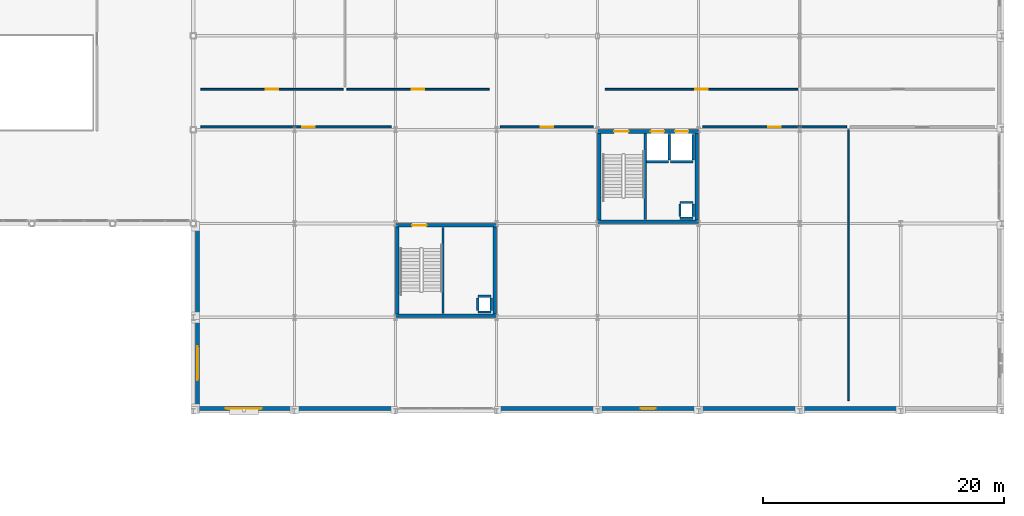
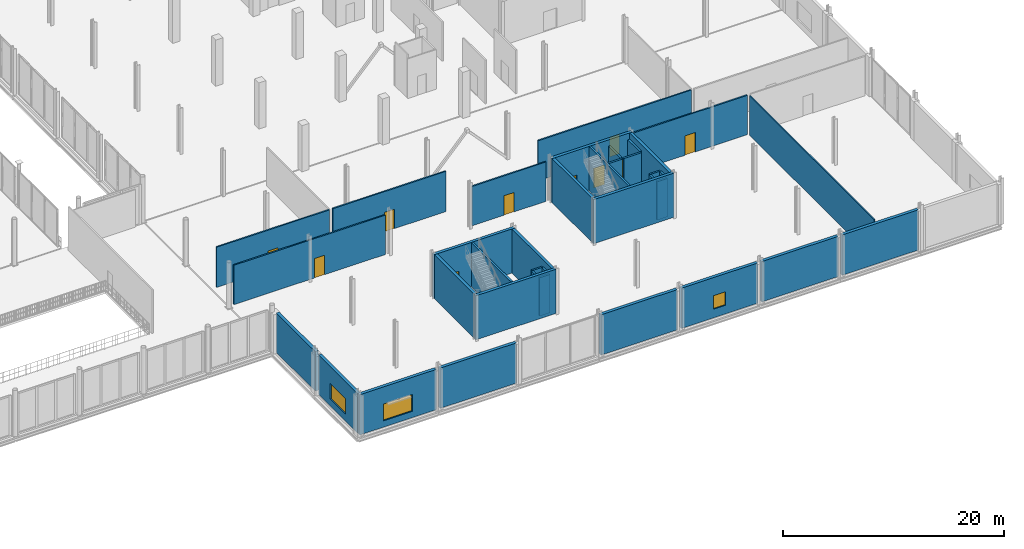
# One storey, part 80 of 105: 37 walls, 10 doors, 3 windows, 13 openings.
"""IFC4 building model written with IfcOpenShell, lengths in metres."""

from ifc_helpers import new_model, si_unit, direction, frame, frame_2d, origin, place, context, subcontext, project, spatial, rectangle, extrude, material, layer, layer_set, type_object, element, fill, save


model = new_model("IFC4")

# Units and contexts
model_context = context("Model", 3, precision=1e-05, world=origin(), true_north=direction((0.0, 1.0)))
body_context = subcontext(model_context, "Body", "Model", "MODEL_VIEW")
ifc_project = project(units=[si_unit("LENGTHUNIT", "METRE"), si_unit("AREAUNIT", "SQUARE_METRE"), si_unit("VOLUMEUNIT", "CUBIC_METRE"), si_unit("PLANEANGLEUNIT", "RADIAN"), si_unit("MASSUNIT", "GRAM", prefix="KILO")], contexts=[model_context])

# Site, building, storey
site_placement = place(None, origin())
site = spatial("IfcSite", under=ifc_project, at=site_placement, CompositionType="ELEMENT")
building_placement = place(site_placement, origin())
building = spatial("IfcBuilding", under=site, at=building_placement, Name="Nabrawat Pavilion Hospital", CompositionType="ELEMENT")
storey_placement = place(building_placement, frame((0.0, 0.0, 5.10009765625)))
storey = spatial("IfcBuildingStorey", under=building, at=storey_placement, Name="L01", CompositionType="ELEMENT", Elevation=5.10009765625)

# Wall, opening, door
ifc_material_1 = material(Name="Gypsum Fireboard on Steel Stud", Category="steel")
ifc_layer_1 = layer(ifc_material_1, 0.14990234375, Name="Gypsum Fireboard on Steel Stud")
ifc_layer_set_1 = layer_set([ifc_layer_1], Name="Gypsum Fireboard on Steel Stud")
wall_type_1 = type_object("IfcWallType", Name="Clinical Corridor Smoke-Barrier Wall 150", PredefinedType="PARTITIONING", material=ifc_layer_set_1)
wall_1_placement = place(storey_placement, frame((126.6201171875, 23.635009765625, 0.0), z_axis=(0.0, 0.0, 1.0), x_axis=(1.0, 0.0, 0.0)))
wall_1 = element("IfcWall", 1, at=wall_1_placement, inside=storey, type_object=wall_type_1, Name="L01 Outpatient Clinic Surgical Follow-Up Room L01-01 Front Partition", PredefinedType="PARTITIONING", context=body_context, shape_type="SweptSolid", body=[
    extrude(rectangle(XDim=15.829833984375, YDim=0.14990234375, at=frame_2d((7.9150390625, 0.0))), origin(), (0.0, 0.0, 1.0), 4.349853515625),
])
opening_1_placement = place(wall_1_placement, frame((8.43994140625, 0.0, 0.0)))
opening_1 = element("IfcOpeningElement", 2, at=opening_1_placement, cuts=wall_1, Name="Opening D-OPC-R", PredefinedType="OPENING", context=body_context, shape_type="SweptSolid", body=[
    extrude(rectangle(XDim=1.050048828125, YDim=2.14990234375, at=frame_2d((0.52490234375, 1.074951171875))), frame((0.0, 0.0849609375, 0.0), z_axis=(0.0, -1.0, 0.0), x_axis=(1.0, 0.0, 0.0)), (0.0, 0.0, 1.0), 0.169921875),
])
ifc_material_2 = material(Name="Stainless-Clad Acoustic Timber and Vision Glass", Category="wood")
door_type_1 = type_object("IfcDoorType", Name="Outpatient Clinic Consultation Door R 1050x2150", OperationType="NOTDEFINED", PredefinedType="DOOR", material=ifc_material_2)
door_1_placement = place(opening_1_placement, origin())
door_1 = element("IfcDoor", 3, at=door_1_placement, inside=storey, type_object=door_type_1, Name="Outpatient Clinic Surgical Follow-Up Room L01-01 Door", OperationType="SINGLE_SWING_LEFT", OverallHeight=2.14990234375, OverallWidth=1.050048828125, PredefinedType="DOOR", context=body_context, shape_type="SweptSolid", body=[
    extrude(rectangle(XDim=1.050048828125, YDim=2.14990234375, at=frame_2d((0.52490234375, 1.074951171875))), frame((0.0, 0.02490234375, 0.0), z_axis=(0.0, -1.0, 0.0), x_axis=(1.0, 0.0, 0.0)), (0.0, 0.0, 1.0), 0.050048828125),
])
fill(opening_1, door_1)

wall_2_placement = place(storey_placement, frame((151.52001953125, 23.635009765625, 0.0), z_axis=(0.0, 0.0, 1.0), x_axis=(1.0, 0.0, 0.0)))
wall_2 = element("IfcWall", 4, at=wall_2_placement, inside=storey, type_object=wall_type_1, Name="L01 Outpatient Clinic Paediatrics Room L01-02 Front Partition", PredefinedType="PARTITIONING", context=body_context, shape_type="SweptSolid", body=[
    extrude(rectangle(XDim=7.72998046875, YDim=0.14990234375, at=frame_2d((3.864990234375, 0.0))), origin(), (0.0, 0.0, 1.0), 4.349853515625),
])
opening_2_placement = place(wall_2_placement, frame((3.340087890625, 0.0, 0.0)))
opening_2 = element("IfcOpeningElement", 5, at=opening_2_placement, cuts=wall_2, Name="Opening D-OPC-L", PredefinedType="OPENING", context=body_context, shape_type="SweptSolid", body=[
    extrude(rectangle(XDim=1.050048828125, YDim=2.14990234375, at=frame_2d((0.52490234375, 1.074951171875))), frame((0.0, 0.0849609375, 0.0), z_axis=(0.0, -1.0, 0.0), x_axis=(1.0, 0.0, 0.0)), (0.0, 0.0, 1.0), 0.169921875),
])
door_type_2 = type_object("IfcDoorType", Name="Outpatient Clinic Consultation Door L 1050x2150", OperationType="NOTDEFINED", PredefinedType="DOOR", material=ifc_material_2)
door_2_placement = place(opening_2_placement, origin())
door_2 = element("IfcDoor", 6, at=door_2_placement, inside=storey, type_object=door_type_2, Name="Outpatient Clinic Paediatrics Room L01-02 Door", OperationType="SINGLE_SWING_RIGHT", OverallHeight=2.14990234375, OverallWidth=1.050048828125, PredefinedType="DOOR", context=body_context, shape_type="SweptSolid", body=[
    extrude(rectangle(XDim=1.050048828125, YDim=2.14990234375, at=frame_2d((0.52490234375, 1.074951171875))), frame((0.0, 0.02490234375, 0.0), z_axis=(0.0, -1.0, 0.0), x_axis=(1.0, 0.0, 0.0)), (0.0, 0.0, 1.0), 0.050048828125),
])
fill(opening_2, door_2)

wall_3_placement = place(storey_placement, frame((168.320068359375, 23.635009765625, 0.0), z_axis=(0.0, 0.0, 1.0), x_axis=(1.0, 0.0, 0.0)))
wall_3 = element("IfcWall", 7, at=wall_3_placement, inside=storey, type_object=wall_type_1, Name="L01 Outpatient Clinic Obstetrics Ultrasound Room L01-03 Front Partition", PredefinedType="PARTITIONING", context=body_context, shape_type="SweptSolid", body=[
    extrude(rectangle(XDim=11.969970703125, YDim=0.14990234375, at=frame_2d((5.98486328125, 0.0))), origin(), (0.0, 0.0, 1.0), 4.349853515625),
])
opening_3_placement = place(wall_3_placement, frame((5.4599609375, 0.0, 0.0)))
opening_3 = element("IfcOpeningElement", 8, at=opening_3_placement, cuts=wall_3, Name="Opening D-OPC-R", PredefinedType="OPENING", context=body_context, shape_type="SweptSolid", body=[
    extrude(rectangle(XDim=1.050048828125, YDim=2.14990234375, at=frame_2d((0.52490234375, 1.074951171875))), frame((0.0, 0.0849609375, 0.0), z_axis=(0.0, -1.0, 0.0), x_axis=(1.0, 0.0, 0.0)), (0.0, 0.0, 1.0), 0.169921875),
])
door_3_placement = place(opening_3_placement, origin())
door_3 = element("IfcDoor", 9, at=door_3_placement, inside=storey, type_object=door_type_1, Name="Outpatient Clinic Obstetrics Ultrasound Room L01-03 Door", OperationType="SINGLE_SWING_LEFT", OverallHeight=2.14990234375, OverallWidth=1.050048828125, PredefinedType="DOOR", context=body_context, shape_type="SweptSolid", body=[
    extrude(rectangle(XDim=1.050048828125, YDim=2.14990234375, at=frame_2d((0.52490234375, 1.074951171875))), frame((0.0, 0.02490234375, 0.0), z_axis=(0.0, -1.0, 0.0), x_axis=(1.0, 0.0, 0.0)), (0.0, 0.0, 1.0), 0.050048828125),
])
fill(opening_3, door_3)

wall_4_placement = place(storey_placement, frame((126.6201171875, 26.764892578125, 0.0), z_axis=(0.0, 0.0, 1.0), x_axis=(1.0, 0.0, 0.0)))
wall_4 = element("IfcWall", 10, at=wall_4_placement, inside=storey, type_object=wall_type_1, Name="L01 Outpatient Clinic Neurology EMG Room L01-05 Front Partition", PredefinedType="PARTITIONING", context=body_context, shape_type="SweptSolid", body=[
    extrude(rectangle(XDim=11.81982421875, YDim=0.14990234375, at=frame_2d((5.909912109375, 0.0))), origin(), (0.0, 0.0, 1.0), 4.449951171875),
])
opening_4_placement = place(wall_4_placement, frame((5.385009765625, 0.0, 0.0)))
opening_4 = element("IfcOpeningElement", 11, at=opening_4_placement, cuts=wall_4, Name="Opening D-OPC-R", PredefinedType="OPENING", context=body_context, shape_type="SweptSolid", body=[
    extrude(rectangle(XDim=1.050048828125, YDim=2.14990234375, at=frame_2d((0.52490234375, 1.074951171875))), frame((0.0, 0.0849609375, 0.0), z_axis=(0.0, -1.0, 0.0), x_axis=(1.0, 0.0, 0.0)), (0.0, 0.0, 1.0), 0.169921875),
])
door_4_placement = place(opening_4_placement, origin())
door_4 = element("IfcDoor", 12, at=door_4_placement, inside=storey, type_object=door_type_1, Name="Outpatient Clinic Neurology EMG Room L01-05 Door", OperationType="SINGLE_SWING_LEFT", OverallHeight=2.14990234375, OverallWidth=1.050048828125, PredefinedType="DOOR", context=body_context, shape_type="SweptSolid", body=[
    extrude(rectangle(XDim=1.050048828125, YDim=2.14990234375, at=frame_2d((0.52490234375, 1.074951171875))), frame((0.0, 0.02490234375, 0.0), z_axis=(0.0, -1.0, 0.0), x_axis=(1.0, 0.0, 0.0)), (0.0, 0.0, 1.0), 0.050048828125),
])
fill(opening_4, door_4)

wall_5_placement = place(storey_placement, frame((138.760009765625, 26.764892578125, 0.0), z_axis=(0.0, 0.0, 1.0), x_axis=(1.0, 0.0, 0.0)))
wall_5 = element("IfcWall", 13, at=wall_5_placement, inside=storey, type_object=wall_type_1, Name="L01 Outpatient Clinic Triage Vitals Room L01-06 Front Partition", PredefinedType="PARTITIONING", context=body_context, shape_type="SweptSolid", body=[
    extrude(rectangle(XDim=11.820068359375, YDim=0.14990234375, at=frame_2d((5.91015625, 0.0))), origin(), (0.0, 0.0, 1.0), 4.449951171875),
])
opening_5_placement = place(wall_5_placement, frame((5.385009765625, 0.0, 0.0)))
opening_5 = element("IfcOpeningElement", 14, at=opening_5_placement, cuts=wall_5, Name="Opening D-OPC-L", PredefinedType="OPENING", context=body_context, shape_type="SweptSolid", body=[
    extrude(rectangle(XDim=1.050048828125, YDim=2.14990234375, at=frame_2d((0.52490234375, 1.074951171875))), frame((0.0, 0.0849609375, 0.0), z_axis=(0.0, -1.0, 0.0), x_axis=(1.0, 0.0, 0.0)), (0.0, 0.0, 1.0), 0.169921875),
])
door_5_placement = place(opening_5_placement, origin())
door_5 = element("IfcDoor", 15, at=door_5_placement, inside=storey, type_object=door_type_2, Name="Outpatient Clinic Triage Vitals Room L01-06 Door", OperationType="SINGLE_SWING_RIGHT", OverallHeight=2.14990234375, OverallWidth=1.050048828125, PredefinedType="DOOR", context=body_context, shape_type="SweptSolid", body=[
    extrude(rectangle(XDim=1.050048828125, YDim=2.14990234375, at=frame_2d((0.52490234375, 1.074951171875))), frame((0.0, 0.02490234375, 0.0), z_axis=(0.0, -1.0, 0.0), x_axis=(1.0, 0.0, 0.0)), (0.0, 0.0, 1.0), 0.050048828125),
])
fill(opening_5, door_5)

wall_6_placement = place(storey_placement, frame((160.219970703125, 26.764892578125, 0.0), z_axis=(0.0, 0.0, 1.0), x_axis=(1.0, 0.0, 0.0)))
wall_6 = element("IfcWall", 16, at=wall_6_placement, inside=storey, type_object=wall_type_1, Name="L01 Outpatient Clinic Surgical Follow-Up Room L01-07 Front Partition", PredefinedType="PARTITIONING", context=body_context, shape_type="SweptSolid", body=[
    extrude(rectangle(XDim=16.02001953125, YDim=0.14990234375, at=frame_2d((8.010009765625, 0.0))), origin(), (0.0, 0.0, 1.0), 4.449951171875),
])
opening_6_placement = place(wall_6_placement, frame((7.485107421875, 0.0, 0.0)))
opening_6 = element("IfcOpeningElement", 17, at=opening_6_placement, cuts=wall_6, Name="Opening D-OPC-R", PredefinedType="OPENING", context=body_context, shape_type="SweptSolid", body=[
    extrude(rectangle(XDim=1.050048828125, YDim=2.14990234375, at=frame_2d((0.52490234375, 1.074951171875))), frame((0.0, 0.0849609375, 0.0), z_axis=(0.0, -1.0, 0.0), x_axis=(1.0, 0.0, 0.0)), (0.0, 0.0, 1.0), 0.169921875),
])
door_6_placement = place(opening_6_placement, origin())
door_6 = element("IfcDoor", 18, at=door_6_placement, inside=storey, type_object=door_type_1, Name="Outpatient Clinic Surgical Follow-Up Room L01-07 Door", OperationType="SINGLE_SWING_LEFT", OverallHeight=2.14990234375, OverallWidth=1.050048828125, PredefinedType="DOOR", context=body_context, shape_type="SweptSolid", body=[
    extrude(rectangle(XDim=1.050048828125, YDim=2.14990234375, at=frame_2d((0.52490234375, 1.074951171875))), frame((0.0, 0.02490234375, 0.0), z_axis=(0.0, -1.0, 0.0), x_axis=(1.0, 0.0, 0.0)), (0.0, 0.0, 1.0), 0.050048828125),
])
fill(opening_6, door_6)

# Wall, opening, window
ifc_material_3 = material(Name="Precast concrete C40/50", Category="concrete")
ifc_layer_2 = layer(ifc_material_3, 0.320068359375, Name="Precast concrete C40/50")
ifc_layer_set_2 = layer_set([ifc_layer_2], Name="Precast concrete C40/50")
wall_type_2 = type_object("IfcWallType", Name="Deep-Reveal Precast Facade Wall 320", PredefinedType="SOLIDWALL", material=ifc_layer_set_2)
wall_7_placement = place(storey_placement, frame((126.340087890625, 0.43994140625, 0.0), z_axis=(0.0, 0.0, 1.0), x_axis=(0.0, 1.0, 0.0)))
wall_7 = element("IfcWall", 19, at=wall_7_placement, inside=storey, type_object=wall_type_2, Name="L01 Deep-Reveal Precast Facade Wall 320 204", PredefinedType="SOLIDWALL", context=body_context, shape_type="SweptSolid", body=[
    extrude(rectangle(XDim=7.0849609375, YDim=0.320068359375, at=frame_2d((3.54248046875, 0.0))), origin(), (0.0, 0.0, 1.0), 4.349853515625),
])
opening_7_placement = place(wall_7_placement, frame((2.142578125, 0.0, 0.75)))
opening_7 = element("IfcOpeningElement", 20, at=opening_7_placement, cuts=wall_7, Name="Opening WN-15", PredefinedType="OPENING", context=body_context, shape_type="SweptSolid", body=[
    extrude(rectangle(XDim=2.800048828125, YDim=1.75, at=frame_2d((1.39990234375, 0.875))), frame((0.0, 0.169921875, 0.0), z_axis=(0.0, -1.0, 0.0), x_axis=(1.0, 0.0, 0.0)), (0.0, 0.0, 1.0), 0.340087890625),
])
ifc_material_4 = material(Name="Thermally Broken Aluminium and Solar Glass", Category="aluminium")
window_type_1 = type_object("IfcWindowType", Name="Neurology Rehab Lounge Window 2800x1750", PartitioningType="SINGLE_PANEL", PredefinedType="WINDOW", material=ifc_material_4)
window_1_placement = place(opening_7_placement, origin())
window_1 = element("IfcWindow", 21, at=window_1_placement, inside=storey, type_object=window_type_1, Name="L01 Neurology Rehab Lounge Window 2800x1750 079", OverallHeight=1.75, OverallWidth=2.800048828125, PartitioningType="SINGLE_PANEL", PredefinedType="WINDOW", context=body_context, shape_type="SweptSolid", body=[
    extrude(rectangle(XDim=2.800048828125, YDim=1.75, at=frame_2d((1.39990234375, 0.875))), frame((0.0, 0.030029296875, 0.0), z_axis=(0.0, -1.0, 0.0), x_axis=(1.0, 0.0, 0.0)), (0.0, 0.0, 1.0), 0.06005859375),
])
fill(opening_7, window_1)

# Wall
wall_8_placement = place(storey_placement, frame((126.340087890625, 8.074951171875, 0.0), z_axis=(0.0, 0.0, 1.0), x_axis=(0.0, 1.0, 0.0)))
element("IfcWall", 22, at=wall_8_placement, inside=storey, type_object=wall_type_2, Name="L01 Deep-Reveal Precast Facade Wall 320 205", PredefinedType="SOLIDWALL", context=body_context, shape_type="SweptSolid", body=[
    extrude(rectangle(XDim=7.0849609375, YDim=0.320068359375, at=frame_2d((3.54248046875, 0.0))), origin(), (0.0, 0.0, 1.0), 4.349853515625),
])

# Wall, opening, window
wall_9_placement = place(storey_placement, frame((126.199951171875, 0.219970703125, 0.0), z_axis=(0.0, 0.0, 1.0), x_axis=(1.0, 0.0, 0.0)))
wall_9 = element("IfcWall", 23, at=wall_9_placement, inside=storey, type_object=wall_type_2, Name="L01 Deep-Reveal Precast Facade Wall 320 206", PredefinedType="SOLIDWALL", context=body_context, shape_type="SweptSolid", body=[
    extrude(rectangle(XDim=8.0, YDim=0.320068359375, at=frame_2d((4.0, 0.0))), origin(), (0.0, 0.0, 1.0), 4.449951171875),
])
opening_8_placement = place(wall_9_placement, frame((2.5, 0.0, 0.699951171875)))
opening_8 = element("IfcOpeningElement", 24, at=opening_8_placement, cuts=wall_9, Name="Opening WN-16", PredefinedType="OPENING", context=body_context, shape_type="SweptSolid", body=[
    extrude(rectangle(XDim=3.0, YDim=1.85009765625, at=frame_2d((1.5, 0.925048828125))), frame((0.0, 0.169921875, 0.0), z_axis=(0.0, -1.0, 0.0), x_axis=(1.0, 0.0, 0.0)), (0.0, 0.0, 1.0), 0.340087890625),
])
window_type_2 = type_object("IfcWindowType", Name="VIP Suite Panoramic Window 3000x1850", PartitioningType="SINGLE_PANEL", PredefinedType="WINDOW", material=ifc_material_4)
window_2_placement = place(opening_8_placement, origin())
window_2 = element("IfcWindow", 25, at=window_2_placement, inside=storey, type_object=window_type_2, Name="L01 VIP Suite Panoramic Window 3000x1850 080", OverallHeight=1.85009765625, OverallWidth=3.0, PartitioningType="SINGLE_PANEL", PredefinedType="WINDOW", context=body_context, shape_type="SweptSolid", body=[
    extrude(rectangle(XDim=3.0, YDim=1.85009765625, at=frame_2d((1.5, 0.925048828125))), frame((0.0, 0.030029296875, 0.0), z_axis=(0.0, -1.0, 0.0), x_axis=(1.0, 0.0, 0.0)), (0.0, 0.0, 1.0), 0.06005859375),
])
fill(opening_8, window_2)

# Walls
for number, where, z_axis, x_axis, name in (
    (26, (134.60009765625, 0.219970703125, 0.0), (0.0, 0.0, 1.0), (1.0, 0.0, 0.0), "L01 Deep-Reveal Precast Facade Wall 320 207"),
    (27, (151.39990234375, 0.219970703125, 0.0), (0.0, 0.0, 1.0), (1.0, 0.0, 0.0), "L01 Deep-Reveal Precast Facade Wall 320 208"),
):
    element("IfcWall", number, at=place(storey_placement, frame(where, z_axis=z_axis, x_axis=x_axis)), inside=storey, type_object=wall_type_2, Name=name, PredefinedType="SOLIDWALL", context=body_context, shape_type="SweptSolid", body=[
        extrude(rectangle(XDim=8.0, YDim=0.320068359375, at=frame_2d((4.0, 0.0))), origin(), (0.0, 0.0, 1.0), 4.449951171875),
    ])

# Wall, opening, window
wall_10_placement = place(storey_placement, frame((159.800048828125, 0.219970703125, 0.0), z_axis=(0.0, 0.0, 1.0), x_axis=(1.0, 0.0, 0.0)))
wall_10 = element("IfcWall", 28, at=wall_10_placement, inside=storey, type_object=wall_type_2, Name="L01 Deep-Reveal Precast Facade Wall 320 209", PredefinedType="SOLIDWALL", context=body_context, shape_type="SweptSolid", body=[
    extrude(rectangle(XDim=8.0, YDim=0.320068359375, at=frame_2d((4.0, 0.0))), origin(), (0.0, 0.0, 1.0), 4.449951171875),
])
opening_9_placement = place(wall_10_placement, frame((3.375, 0.0, 0.949951171875)))
opening_9 = element("IfcOpeningElement", 29, at=opening_9_placement, cuts=wall_10, Name="Opening WN-17", PredefinedType="OPENING", context=body_context, shape_type="SweptSolid", body=[
    extrude(rectangle(XDim=1.25, YDim=1.5, at=frame_2d((0.625, 0.75))), frame((0.0, 0.169921875, 0.0), z_axis=(0.0, -1.0, 0.0), x_axis=(1.0, 0.0, 0.0)), (0.0, 0.0, 1.0), 0.340087890625),
])
window_type_3 = type_object("IfcWindowType", Name="Administration Office Window 1250x1500", PartitioningType="SINGLE_PANEL", PredefinedType="WINDOW", material=ifc_material_4)
window_3_placement = place(opening_9_placement, origin())
window_3 = element("IfcWindow", 30, at=window_3_placement, inside=storey, type_object=window_type_3, Name="L01 Administration Office Window 1250x1500 081", OverallHeight=1.5, OverallWidth=1.25, PartitioningType="SINGLE_PANEL", PredefinedType="WINDOW", context=body_context, shape_type="SweptSolid", body=[
    extrude(rectangle(XDim=1.25, YDim=1.5, at=frame_2d((0.625, 0.75))), frame((0.0, 0.030029296875, 0.0), z_axis=(0.0, -1.0, 0.0), x_axis=(1.0, 0.0, 0.0)), (0.0, 0.0, 1.0), 0.06005859375),
])
fill(opening_9, window_3)

# Walls
for number, where, z_axis, x_axis, name in (
    (31, (168.199951171875, 0.219970703125, 0.0), (0.0, 0.0, 1.0), (1.0, 0.0, 0.0), "L01 Deep-Reveal Precast Facade Wall 320 210"),
    (32, (176.60009765625, 0.219970703125, 0.0), (0.0, 0.0, 1.0), (1.0, 0.0, 0.0), "L01 Deep-Reveal Precast Facade Wall 320 211"),
):
    element("IfcWall", number, at=place(storey_placement, frame(where, z_axis=z_axis, x_axis=x_axis)), inside=storey, type_object=wall_type_2, Name=name, PredefinedType="SOLIDWALL", context=body_context, shape_type="SweptSolid", body=[
        extrude(rectangle(XDim=8.0, YDim=0.320068359375, at=frame_2d((4.0, 0.0))), origin(), (0.0, 0.0, 1.0), 4.449951171875),
    ])
ifc_material_5 = material(Name="Concrete C35/45", Category="concrete")
ifc_layer_3 = layer(ifc_material_5, 0.199951171875, Name="Concrete C35/45")
ifc_layer_set_3 = layer_set([ifc_layer_3], Name="Concrete C35/45")
wall_type_3 = type_object("IfcWallType", Name="Lift and Riser Fire Shaft Wall 200", PredefinedType="PARTITIONING", material=ifc_layer_set_3)
wall_11_placement = place(storey_placement, frame((163.550048828125, 15.919921875, 0.0), z_axis=(0.0, 0.0, 1.0), x_axis=(0.0, 1.0, 0.0)))
element("IfcWall", 33, at=wall_11_placement, inside=storey, type_object=wall_type_3, Name="L01 CORE-4 Stair-Lift Dividing Shear Wall", PredefinedType="SHEAR", context=body_context, shape_type="SweptSolid", body=[
    extrude(rectangle(XDim=7.16015625, YDim=0.199951171875, at=frame_2d((3.580078125, 0.0))), origin(), (0.0, 0.0, 1.0), 4.869873046875),
])
for number, where, z_axis, x_axis, name in (
    (34, (166.449951171875, 16.050048828125, 0.0), (0.0, 0.0, 1.0), (1.0, 0.0, 0.0), "L01 CORE-4 MEP Riser Shaft Wall S"),
    (35, (166.449951171875, 17.35009765625, 0.0), (0.0, 0.0, 1.0), (1.0, 0.0, 0.0), "L01 CORE-4 MEP Riser Shaft Wall N"),
):
    element("IfcWall", number, at=place(storey_placement, frame(where, z_axis=z_axis, x_axis=x_axis)), inside=storey, type_object=wall_type_3, Name=name, PredefinedType="PARTITIONING", context=body_context, shape_type="SweptSolid", body=[
        extrude(rectangle(XDim=1.10009765625, YDim=0.199951171875, at=frame_2d((0.550048828125, 0.0))), origin(), (0.0, 0.0, 1.0), 4.25),
    ])
for number, where, z_axis, x_axis, name in (
    (36, (166.449951171875, 16.169921875, 0.0), (0.0, 0.0, 1.0), (0.0, 1.0, 0.0), "L01 CORE-4 MEP Riser Shaft Wall W"),
    (37, (167.550048828125, 16.169921875, 0.0), (0.0, 0.0, 1.0), (0.0, 1.0, 0.0), "L01 CORE-4 MEP Riser Shaft Wall E"),
):
    element("IfcWall", number, at=place(storey_placement, frame(where, z_axis=z_axis, x_axis=x_axis)), inside=storey, type_object=wall_type_3, Name=name, PredefinedType="PARTITIONING", context=body_context, shape_type="SweptSolid", body=[
        extrude(rectangle(XDim=1.06005859375, YDim=0.199951171875, at=frame_2d((0.530029296875, 0.0))), origin(), (0.0, 0.0, 1.0), 4.25),
    ])
wall_12_placement = place(storey_placement, frame((165.5400390625, 20.8798828125, 0.0), z_axis=(0.0, 0.0, 1.0), x_axis=(0.0, 1.0, 0.0)))
element("IfcWall", 38, at=wall_12_placement, inside=storey, type_object=wall_type_3, Name="L01 Lift LP-03 Shaft East Wall", PredefinedType="PARTITIONING", context=body_context, shape_type="SweptSolid", body=[
    extrude(rectangle(XDim=2.14013671875, YDim=0.199951171875, at=frame_2d((1.070068359375, 0.0))), origin(), (0.0, 0.0, 1.0), 4.25),
])
wall_13_placement = place(storey_placement, frame((163.64990234375, 20.719970703125, 0.0), z_axis=(0.0, 0.0, 1.0), x_axis=(1.0, 0.0, 0.0)))
element("IfcWall", 39, at=wall_13_placement, inside=storey, type_object=wall_type_3, Name="L01 Lift LP-03 Shaft Back Wall", PredefinedType="PARTITIONING", context=body_context, shape_type="SweptSolid", body=[
    extrude(rectangle(XDim=1.860107421875, YDim=0.199951171875, at=frame_2d((0.93017578125, 0.0))), origin(), (0.0, 0.0, 1.0), 4.25),
])
wall_14_placement = place(storey_placement, frame((167.56005859375, 20.8798828125, 0.0), z_axis=(0.0, 0.0, 1.0), x_axis=(0.0, 1.0, 0.0)))
element("IfcWall", 40, at=wall_14_placement, inside=storey, type_object=wall_type_3, Name="L01 Lift LP-04 Shaft East Wall", PredefinedType="PARTITIONING", context=body_context, shape_type="SweptSolid", body=[
    extrude(rectangle(XDim=2.14013671875, YDim=0.199951171875, at=frame_2d((1.070068359375, 0.0))), origin(), (0.0, 0.0, 1.0), 4.25),
])
wall_15_placement = place(storey_placement, frame((165.669921875, 20.719970703125, 0.0), z_axis=(0.0, 0.0, 1.0), x_axis=(1.0, 0.0, 0.0)))
element("IfcWall", 41, at=wall_15_placement, inside=storey, type_object=wall_type_3, Name="L01 Lift LP-04 Shaft Back Wall", PredefinedType="PARTITIONING", context=body_context, shape_type="SweptSolid", body=[
    extrude(rectangle(XDim=1.860107421875, YDim=0.199951171875, at=frame_2d((0.93017578125, 0.0))), origin(), (0.0, 0.0, 1.0), 4.25),
])
wall_16_placement = place(storey_placement, frame((146.75, 8.1201171875, 0.0), z_axis=(0.0, 0.0, 1.0), x_axis=(0.0, 1.0, 0.0)))
element("IfcWall", 42, at=wall_16_placement, inside=storey, type_object=wall_type_3, Name="L01 CORE-8 Stair-Lift Dividing Shear Wall", PredefinedType="SHEAR", context=body_context, shape_type="SweptSolid", body=[
    extrude(rectangle(XDim=7.159912109375, YDim=0.199951171875, at=frame_2d((3.580078125, 0.0))), origin(), (0.0, 0.0, 1.0), 4.869873046875),
])
for number, where, z_axis, x_axis, name in (
    (43, (149.64990234375, 8.25, 0.0), (0.0, 0.0, 1.0), (1.0, 0.0, 0.0), "L01 CORE-8 MEP Riser Shaft Wall S"),
    (44, (149.64990234375, 9.550048828125, 0.0), (0.0, 0.0, 1.0), (1.0, 0.0, 0.0), "L01 CORE-8 MEP Riser Shaft Wall N"),
):
    element("IfcWall", number, at=place(storey_placement, frame(where, z_axis=z_axis, x_axis=x_axis)), inside=storey, type_object=wall_type_3, Name=name, PredefinedType="PARTITIONING", context=body_context, shape_type="SweptSolid", body=[
        extrude(rectangle(XDim=1.10009765625, YDim=0.199951171875, at=frame_2d((0.550048828125, 0.0))), origin(), (0.0, 0.0, 1.0), 4.25),
    ])
for number, where, z_axis, x_axis, name in (
    (45, (149.64990234375, 8.3701171875, 0.0), (0.0, 0.0, 1.0), (0.0, 1.0, 0.0), "L01 CORE-8 MEP Riser Shaft Wall W"),
    (46, (150.75, 8.3701171875, 0.0), (0.0, 0.0, 1.0), (0.0, 1.0, 0.0), "L01 CORE-8 MEP Riser Shaft Wall E"),
):
    element("IfcWall", number, at=place(storey_placement, frame(where, z_axis=z_axis, x_axis=x_axis)), inside=storey, type_object=wall_type_3, Name=name, PredefinedType="PARTITIONING", context=body_context, shape_type="SweptSolid", body=[
        extrude(rectangle(XDim=1.059814453125, YDim=0.199951171875, at=frame_2d((0.52978515625, 0.0))), origin(), (0.0, 0.0, 1.0), 4.25),
    ])
ifc_material_6 = material(Name="Gypsum Plasterboard on Stud", Category="gypsum")
ifc_layer_4 = layer(ifc_material_6, 0.1201171875, Name="Gypsum Plasterboard on Stud")
ifc_layer_set_4 = layer_set([ifc_layer_4], Name="Gypsum Plasterboard on Stud")
wall_type_4 = type_object("IfcWallType", Name="Outpatient Consultation Partition 120", PredefinedType="PARTITIONING", material=ifc_layer_set_4)
wall_17_placement = place(storey_placement, frame((180.449951171875, 0.889892578125, 0.0), z_axis=(0.0, 0.0, 1.0), x_axis=(0.0, 1.0, 0.0)))
element("IfcWall", 47, at=wall_17_placement, inside=storey, type_object=wall_type_4, Name="L01 Outpatient Clinic Obstetrics Ultrasound Room L01-03 Dividing Partition", PredefinedType="PARTITIONING", context=body_context, shape_type="SweptSolid", body=[
    extrude(rectangle(XDim=22.525146484375, YDim=0.1201171875, at=frame_2d((11.2626953125, 0.0))), origin(), (0.0, 0.0, 1.0), 4.349853515625),
])
ifc_material_7 = material(Name="Concrete C40/50", Category="concrete")
ifc_layer_5 = layer(ifc_material_7, 0.300048828125, Name="Concrete C40/50")
ifc_layer_set_5 = layer_set([ifc_layer_5], Name="Concrete C40/50")
wall_type_5 = type_object("IfcWallType", Name="Reinforced Concrete Core Shear Wall 300", PredefinedType="SHEAR", material=ifc_layer_set_5)
wall_18_placement = place(storey_placement, frame((159.60009765625, 15.75, 0.0), z_axis=(0.0, 0.0, 1.0), x_axis=(1.0, 0.0, 0.0)))
element("IfcWall", 48, at=wall_18_placement, inside=storey, type_object=wall_type_5, Name="L01 CORE-4 South Core Shear Wall", PredefinedType="SHEAR", context=body_context, shape_type="SweptSolid", body=[
    extrude(rectangle(XDim=8.39990234375, YDim=0.300048828125, at=frame_2d((4.199951171875, 0.0))), origin(), (0.0, 0.0, 1.0), 4.869873046875),
])

# Wall, openings, doors
wall_19_placement = place(storey_placement, frame((159.60009765625, 23.25, 0.0), z_axis=(0.0, 0.0, 1.0), x_axis=(1.0, 0.0, 0.0)))
wall_19 = element("IfcWall", 49, at=wall_19_placement, inside=storey, type_object=wall_type_5, Name="L01 CORE-4 North Core Shear Wall", PredefinedType="SHEAR", context=body_context, shape_type="SweptSolid", body=[
    extrude(rectangle(XDim=8.39990234375, YDim=0.300048828125, at=frame_2d((4.199951171875, 0.0))), origin(), (0.0, 0.0, 1.0), 4.869873046875),
])
opening_10_placement = place(wall_19_placement, frame((1.3798828125, 0.0, 0.0)))
opening_10 = element("IfcOpeningElement", 50, at=opening_10_placement, cuts=wall_19, Name="Opening D-STAIR", PredefinedType="OPENING", context=body_context, shape_type="SweptSolid", body=[
    extrude(rectangle(XDim=1.199951171875, YDim=2.14990234375, at=frame_2d((0.60009765625, 1.074951171875))), frame((0.0, 0.16015625, 0.0), z_axis=(0.0, -1.0, 0.0), x_axis=(1.0, 0.0, 0.0)), (0.0, 0.0, 1.0), 0.320068359375),
])
opening_11_placement = place(wall_19_placement, frame((4.429931640625, 0.0, 0.0)))
opening_11 = element("IfcOpeningElement", 51, at=opening_11_placement, cuts=wall_19, Name="Opening LD-LP-03", PredefinedType="OPENING", context=body_context, shape_type="SweptSolid", body=[
    extrude(rectangle(XDim=1.10009765625, YDim=2.14990234375, at=frame_2d((0.550048828125, 1.074951171875))), frame((0.0, 0.16015625, 0.0), z_axis=(0.0, -1.0, 0.0), x_axis=(1.0, 0.0, 0.0)), (0.0, 0.0, 1.0), 0.320068359375),
])
opening_12_placement = place(wall_19_placement, frame((6.449951171875, 0.0, 0.0)))
opening_12 = element("IfcOpeningElement", 52, at=opening_12_placement, cuts=wall_19, Name="Opening LD-LP-04", PredefinedType="OPENING", context=body_context, shape_type="SweptSolid", body=[
    extrude(rectangle(XDim=1.10009765625, YDim=2.14990234375, at=frame_2d((0.550048828125, 1.074951171875))), frame((0.0, 0.16015625, 0.0), z_axis=(0.0, -1.0, 0.0), x_axis=(1.0, 0.0, 0.0)), (0.0, 0.0, 1.0), 0.320068359375),
])
door_type_3 = type_object("IfcDoorType", Name="D-STAIR Exit Stair Fire Door 1200x2150", OperationType="NOTDEFINED", PredefinedType="DOOR", material=ifc_material_2)
door_7_placement = place(opening_10_placement, origin())
door_7 = element("IfcDoor", 53, at=door_7_placement, inside=storey, type_object=door_type_3, Name="L01 ST-04 Fire Exit Stair Door", OperationType="SINGLE_SWING_LEFT", OverallHeight=2.14990234375, OverallWidth=1.199951171875, PredefinedType="DOOR", context=body_context, shape_type="SweptSolid", body=[
    extrude(rectangle(XDim=1.199951171875, YDim=2.14990234375, at=frame_2d((0.60009765625, 1.074951171875))), frame((0.0, 0.02490234375, 0.0), z_axis=(0.0, -1.0, 0.0), x_axis=(1.0, 0.0, 0.0)), (0.0, 0.0, 1.0), 0.050048828125),
])
fill(opening_10, door_7)
door_type_4 = type_object("IfcDoorType", Name="Passenger Lift Sliding Landing Door 1100x2150", OperationType="DOUBLE_DOOR_SLIDING", PredefinedType="DOOR", material=ifc_material_2)
door_8_placement = place(opening_11_placement, origin())
door_8 = element("IfcDoor", 54, at=door_8_placement, inside=storey, type_object=door_type_4, Name="L01 Lift LP-03 Sliding Landing Door", OperationType="DOUBLE_DOOR_SLIDING", OverallHeight=2.14990234375, OverallWidth=1.10009765625, PredefinedType="DOOR", context=body_context, shape_type="SweptSolid", body=[
    extrude(rectangle(XDim=1.10009765625, YDim=2.14990234375, at=frame_2d((0.550048828125, 1.074951171875))), frame((0.0, 0.02490234375, 0.0), z_axis=(0.0, -1.0, 0.0), x_axis=(1.0, 0.0, 0.0)), (0.0, 0.0, 1.0), 0.050048828125),
])
fill(opening_11, door_8)
door_9_placement = place(opening_12_placement, origin())
door_9 = element("IfcDoor", 55, at=door_9_placement, inside=storey, type_object=door_type_4, Name="L01 Lift LP-04 Sliding Landing Door", OperationType="DOUBLE_DOOR_SLIDING", OverallHeight=2.14990234375, OverallWidth=1.10009765625, PredefinedType="DOOR", context=body_context, shape_type="SweptSolid", body=[
    extrude(rectangle(XDim=1.10009765625, YDim=2.14990234375, at=frame_2d((0.550048828125, 1.074951171875))), frame((0.0, 0.02490234375, 0.0), z_axis=(0.0, -1.0, 0.0), x_axis=(1.0, 0.0, 0.0)), (0.0, 0.0, 1.0), 0.050048828125),
])
fill(opening_12, door_9)

# Walls
for number, where, z_axis, x_axis, name in (
    (56, (159.75, 15.89990234375, 0.0), (0.0, 0.0, 1.0), (0.0, 1.0, 0.0), "L01 CORE-4 West Core Shear Wall"),
    (57, (167.85009765625, 15.89990234375, 0.0), (0.0, 0.0, 1.0), (0.0, 1.0, 0.0), "L01 CORE-4 East Core Shear Wall"),
):
    element("IfcWall", number, at=place(storey_placement, frame(where, z_axis=z_axis, x_axis=x_axis)), inside=storey, type_object=wall_type_5, Name=name, PredefinedType="SHEAR", context=body_context, shape_type="SweptSolid", body=[
        extrude(rectangle(XDim=7.2001953125, YDim=0.300048828125, at=frame_2d((3.60009765625, 0.0))), origin(), (0.0, 0.0, 1.0), 4.869873046875),
    ])
wall_20_placement = place(storey_placement, frame((142.800048828125, 7.949951171875, 0.0), z_axis=(0.0, 0.0, 1.0), x_axis=(1.0, 0.0, 0.0)))
element("IfcWall", 58, at=wall_20_placement, inside=storey, type_object=wall_type_5, Name="L01 CORE-8 South Core Shear Wall", PredefinedType="SHEAR", context=body_context, shape_type="SweptSolid", body=[
    extrude(rectangle(XDim=8.39990234375, YDim=0.300048828125, at=frame_2d((4.199951171875, 0.0))), origin(), (0.0, 0.0, 1.0), 4.869873046875),
])

# Wall, opening, door
wall_21_placement = place(storey_placement, frame((142.800048828125, 15.449951171875, 0.0), z_axis=(0.0, 0.0, 1.0), x_axis=(1.0, 0.0, 0.0)))
wall_21 = element("IfcWall", 59, at=wall_21_placement, inside=storey, type_object=wall_type_5, Name="L01 CORE-8 North Core Shear Wall", PredefinedType="SHEAR", context=body_context, shape_type="SweptSolid", body=[
    extrude(rectangle(XDim=8.39990234375, YDim=0.300048828125, at=frame_2d((4.199951171875, 0.0))), origin(), (0.0, 0.0, 1.0), 4.869873046875),
])
opening_13_placement = place(wall_21_placement, frame((1.3798828125, 0.0, 0.0)))
opening_13 = element("IfcOpeningElement", 60, at=opening_13_placement, cuts=wall_21, Name="Opening D-STAIR", PredefinedType="OPENING", context=body_context, shape_type="SweptSolid", body=[
    extrude(rectangle(XDim=1.199951171875, YDim=2.14990234375, at=frame_2d((0.60009765625, 1.074951171875))), frame((0.0, 0.16015625, 0.0), z_axis=(0.0, -1.0, 0.0), x_axis=(1.0, 0.0, 0.0)), (0.0, 0.0, 1.0), 0.320068359375),
])
door_10_placement = place(opening_13_placement, origin())
door_10 = element("IfcDoor", 61, at=door_10_placement, inside=storey, type_object=door_type_3, Name="L01 ST-08 Fire Exit Stair Door", OperationType="SINGLE_SWING_RIGHT", OverallHeight=2.14990234375, OverallWidth=1.199951171875, PredefinedType="DOOR", context=body_context, shape_type="SweptSolid", body=[
    extrude(rectangle(XDim=1.199951171875, YDim=2.14990234375, at=frame_2d((0.60009765625, 1.074951171875))), frame((0.0, 0.02490234375, 0.0), z_axis=(0.0, -1.0, 0.0), x_axis=(1.0, 0.0, 0.0)), (0.0, 0.0, 1.0), 0.050048828125),
])
fill(opening_13, door_10)

# Walls
for number, where, z_axis, x_axis, name in (
    (62, (142.949951171875, 8.10009765625, 0.0), (0.0, 0.0, 1.0), (0.0, 1.0, 0.0), "L01 CORE-8 West Core Shear Wall"),
    (63, (151.050048828125, 8.10009765625, 0.0), (0.0, 0.0, 1.0), (0.0, 1.0, 0.0), "L01 CORE-8 East Core Shear Wall"),
):
    element("IfcWall", number, at=place(storey_placement, frame(where, z_axis=z_axis, x_axis=x_axis)), inside=storey, type_object=wall_type_5, Name=name, PredefinedType="SHEAR", context=body_context, shape_type="SweptSolid", body=[
        extrude(rectangle(XDim=7.199951171875, YDim=0.300048828125, at=frame_2d((3.60009765625, 0.0))), origin(), (0.0, 0.0, 1.0), 4.869873046875),
    ])

save(model, "model.ifc")
